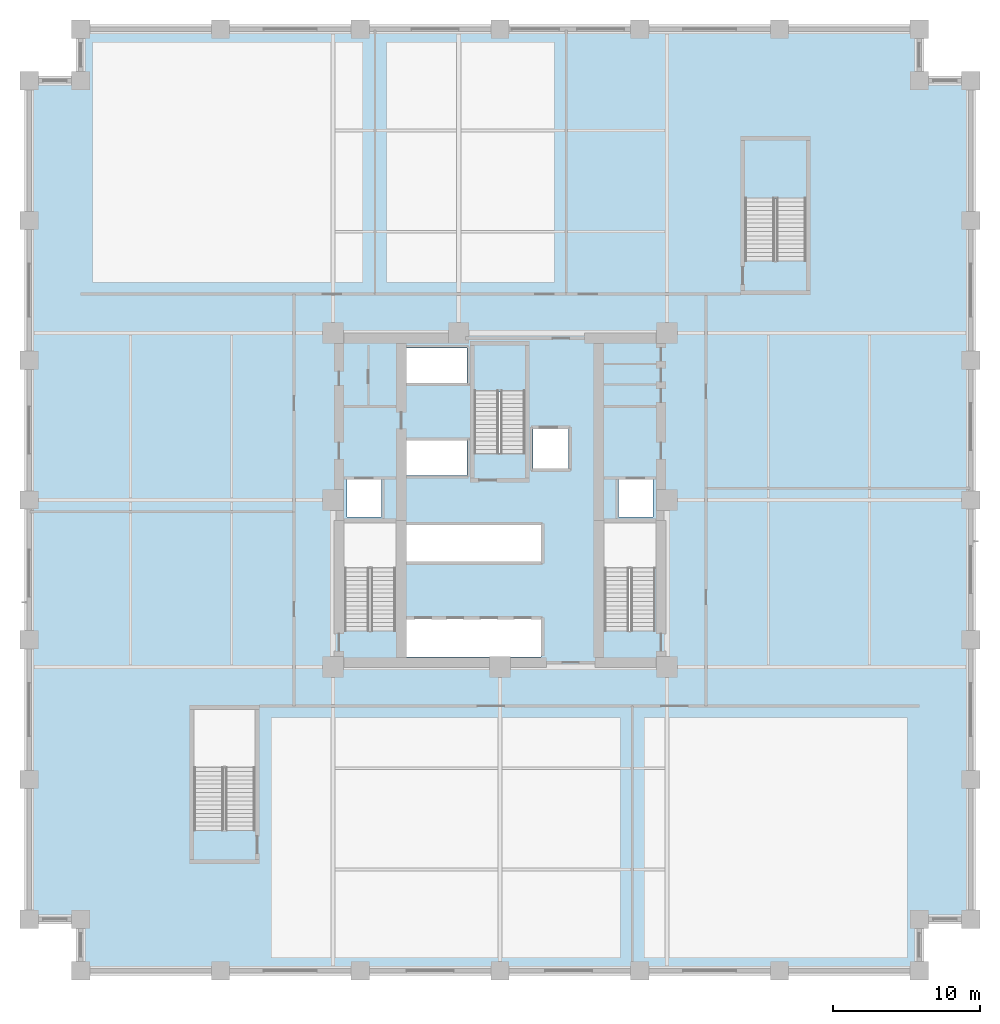
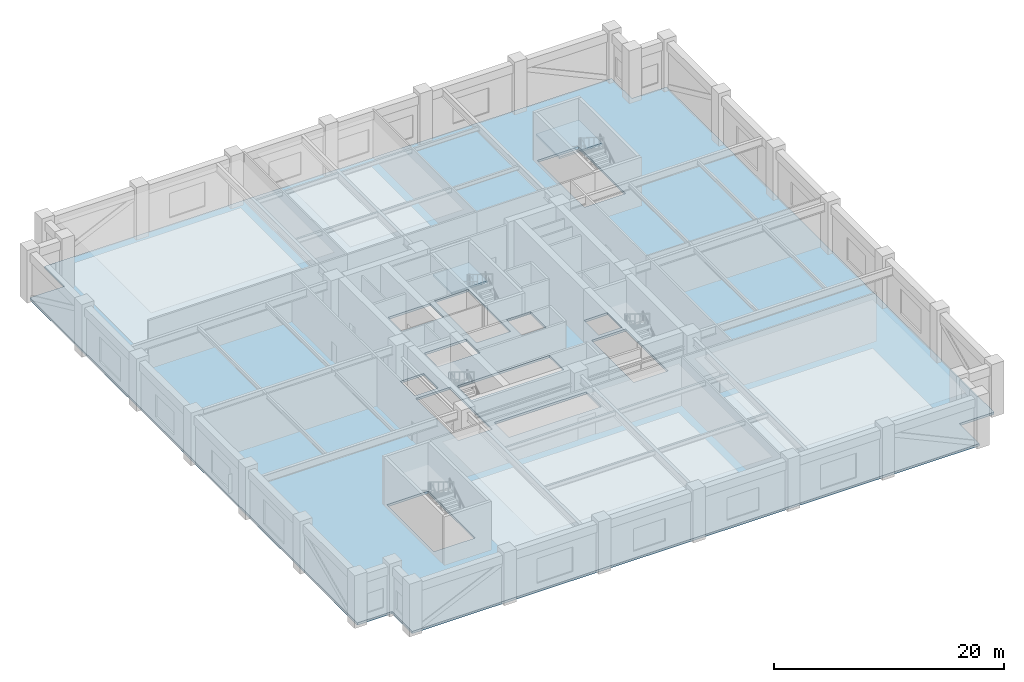
# One storey, part 3 of 14: 3 slabs, 2 elements without a shape of their own.
"""IFC4 building model written with IfcOpenShell, lengths in metres."""

from ifc_helpers import new_model, si_unit, direction, frame, origin, place, context, subcontext, project, spatial, polyline, outline, extrude, material, layer, layer_set, type_object, element, aggregate, save


model = new_model("IFC4")

# Units and contexts
model_context = context("Model", 3, precision=1e-05, world=origin(), true_north=direction((0.0, 1.0)))
body_context = subcontext(model_context, "Body", "Model", "MODEL_VIEW")
ifc_project = project(units=[si_unit("LENGTHUNIT", "METRE"), si_unit("AREAUNIT", "SQUARE_METRE"), si_unit("VOLUMEUNIT", "CUBIC_METRE"), si_unit("PLANEANGLEUNIT", "RADIAN"), si_unit("MASSUNIT", "GRAM", prefix="KILO")], contexts=[model_context])

# Site, building, storey
site_placement = place(None, origin())
site = spatial("IfcSite", under=ifc_project, at=site_placement, CompositionType="ELEMENT")
building_placement = place(site_placement, origin())
building = spatial("IfcBuilding", under=site, at=building_placement, Name="Nhamokura Convention Tower", CompositionType="ELEMENT")
storey_placement = place(building_placement, frame((0.0, 0.0, 23.800048828125)))
storey = spatial("IfcBuildingStorey", under=building, at=storey_placement, Name="L04", CompositionType="ELEMENT", Elevation=23.800048828125)

# Slab
ifc_material_1 = material(Name="Concrete C40/50", Category="concrete")
ifc_layer_1 = layer(ifc_material_1, 0.239990234375)
ifc_layer_set_1 = layer_set([ifc_layer_1], Name="ConventionHallSlab_240")
slab_type_1 = type_object("IfcSlabType", Name="ConventionHallSlab_240", PredefinedType="FLOOR", material=ifc_layer_set_1)
slab_1_placement = place(storey_placement, frame((0.0, 0.0, -0.239990234375)))
element("IfcSlab", 1, at=slab_1_placement, inside=storey, type_object=slab_type_1, Name="L04 Structural Floor Slab", PredefinedType="FLOOR", context=body_context, shape_type="SweptSolid", body=[
    extrude(outline(polyline([(3.5, 0.0), (60.5, 0.0), (60.5, 3.5), (64.0, 3.5), (64.0, 60.5), (60.5, 60.5), (60.5, 64.0), (3.5, 64.0), (3.5, 60.5), (0.0, 60.5), (0.0, 3.5), (3.5, 3.5), (3.5, 0.0)]), holes=[polyline([(24.89990234375, 23.10009765625), (24.89990234375, 30.449951171875), (21.449951171875, 30.449951171875), (21.449951171875, 23.10009765625), (24.89990234375, 23.10009765625)]), polyline([(42.550048828125, 23.10009765625), (42.550048828125, 30.449951171875), (39.10009765625, 30.449951171875), (39.10009765625, 23.10009765625), (42.550048828125, 23.10009765625)]), polyline([(33.699951171875, 35.14990234375), (33.699951171875, 42.5), (30.25, 42.5), (30.25, 35.14990234375), (33.699951171875, 35.14990234375)]), polyline([(15.35009765625, 9.550048828125), (15.35009765625, 17.75), (11.199951171875, 17.75), (11.199951171875, 9.550048828125), (15.35009765625, 9.550048828125)]), polyline([(52.800048828125, 48.25), (52.800048828125, 56.449951171875), (48.64990234375, 56.449951171875), (48.64990234375, 48.25), (52.800048828125, 48.25)]), polyline([(21.60009765625, 30.85009765625), (23.949951171875, 30.85009765625), (23.949951171875, 33.39990234375), (21.60009765625, 33.39990234375), (21.60009765625, 30.85009765625)]), polyline([(40.050048828125, 30.85009765625), (42.39990234375, 30.85009765625), (42.39990234375, 33.39990234375), (40.050048828125, 33.39990234375), (40.050048828125, 30.85009765625)]), polyline([(34.25, 34.14990234375), (36.64990234375, 34.14990234375), (36.64990234375, 36.85009765625), (34.25, 36.85009765625), (34.25, 34.14990234375)]), polyline([(25.52001953125, 21.320068359375), (34.800048828125, 21.320068359375), (34.800048828125, 23.89990234375), (25.52001953125, 23.89990234375), (25.52001953125, 21.320068359375)]), polyline([(25.52001953125, 27.800048828125), (34.800048828125, 27.800048828125), (34.800048828125, 30.300048828125), (25.52001953125, 30.300048828125), (25.52001953125, 27.800048828125)]), polyline([(25.52001953125, 33.679931640625), (29.75, 33.679931640625), (29.75, 36.050048828125), (25.52001953125, 36.050048828125), (25.52001953125, 33.679931640625)]), polyline([(25.52001953125, 39.949951171875), (29.75, 39.949951171875), (29.75, 42.320068359375), (25.52001953125, 42.320068359375), (25.52001953125, 39.949951171875)])]), origin(), (0.0, 0.0, 1.0), 0.239990234375),
])

# Stair, slab
ifc_material_2 = material(Name="Concrete C40/50", Category="concrete")
stair_type_1 = type_object("IfcStairType", Name="TowerCoreStair_1650", PredefinedType="HALF_TURN_STAIR", material=ifc_material_2)
stair_1_placement = place(storey_placement, origin())
stair_1 = element("IfcStair", 2, at=stair_1_placement, inside=storey, type_object=stair_type_1, Name="L04 North Core Smokeproof Stair ST-03", PredefinedType="HALF_TURN_STAIR")
ifc_material_3 = material(Name="Concrete C40/50", Category="concrete")
ifc_layer_2 = layer(ifc_material_3, 0.199951171875)
ifc_layer_set_2 = layer_set([ifc_layer_2], Name="StairLandingSlab_200")
slab_type_2 = type_object("IfcSlabType", Name="StairLandingSlab_200", PredefinedType="LANDING", material=ifc_layer_set_2)
slab_2_placement = place(storey_placement, frame((0.0, 0.0, 2.599853515625)))
slab_2 = element("IfcSlab", 3, at=slab_2_placement, type_object=slab_type_2, Name="ST-03 landing 1", PredefinedType="LANDING", context=body_context, shape_type="SweptSolid", body=[
    extrude(outline(polyline([(33.780029296875, 39.344970703125), (33.780029296875, 42.580078125), (30.169921875, 42.580078125), (30.169921875, 39.344970703125), (33.780029296875, 39.344970703125)])), origin(), (0.0, 0.0, 1.0), 0.2001953125),
])
aggregate(stair_1, [slab_2])

ifc_material_4 = material(Name="Concrete C40/50", Category="concrete")
stair_type_2 = type_object("IfcStairType", Name="PodiumExitStair_2000", PredefinedType="HALF_TURN_STAIR", material=ifc_material_4)
stair_2_placement = place(storey_placement, origin())
stair_2 = element("IfcStair", 4, at=stair_2_placement, inside=storey, type_object=stair_type_2, Name="L04 North-East Podium Smokeproof Stair ST-05", PredefinedType="HALF_TURN_STAIR")
slab_3_placement = place(storey_placement, frame((0.0, 0.0, 2.599853515625)))
slab_3 = element("IfcSlab", 5, at=slab_3_placement, type_object=slab_type_2, Name="ST-05 landing 1", PredefinedType="LANDING", context=body_context, shape_type="SweptSolid", body=[
    extrude(outline(polyline([(52.8798828125, 52.445068359375), (52.8798828125, 56.530029296875), (48.570068359375, 56.530029296875), (48.570068359375, 52.445068359375), (52.8798828125, 52.445068359375)])), origin(), (0.0, 0.0, 1.0), 0.2001953125),
])
aggregate(stair_2, [slab_3])

save(model, "model.ifc")
